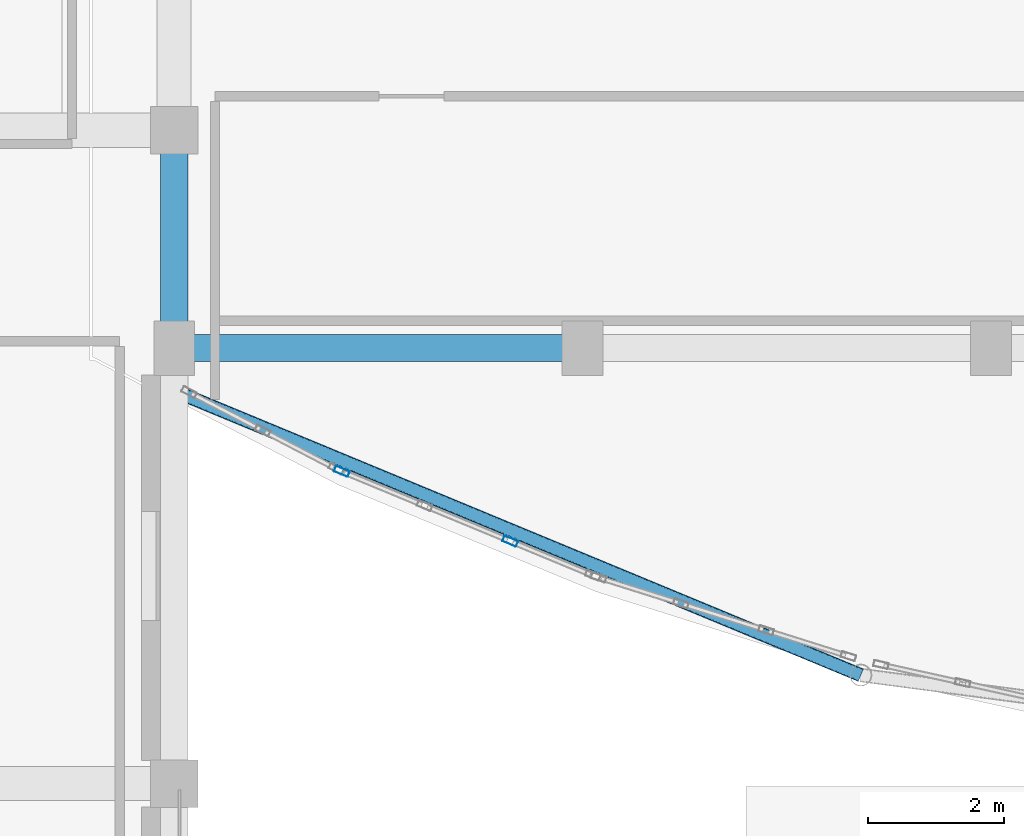
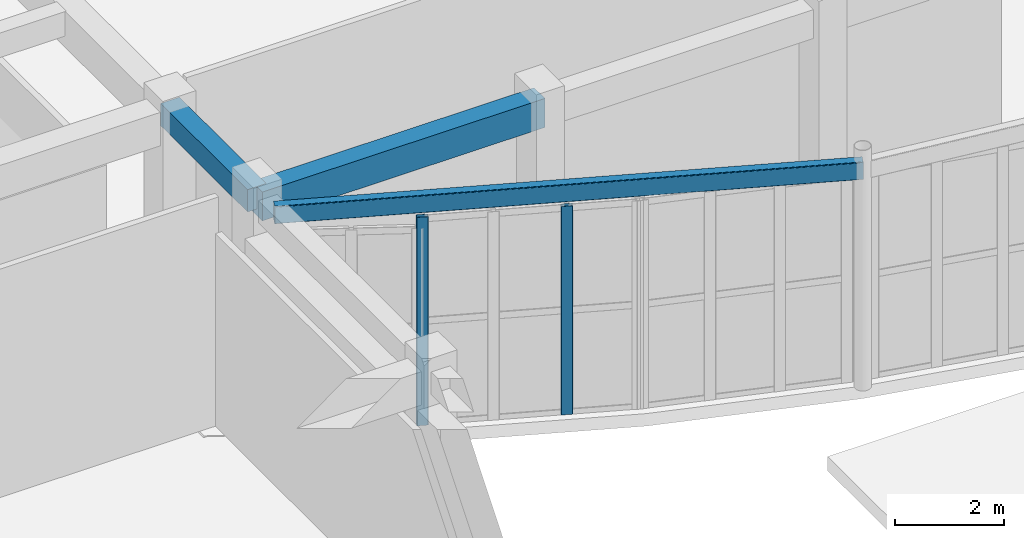
# One storey, part 9 of 98: 3 beams, 2 members, 1 element without a shape of its own.
"""IFC4 building model written with IfcOpenShell, lengths in metres."""

from ifc_helpers import new_model, si_unit, direction, frame, origin, origin_2d, place, context, subcontext, project, spatial, rectangle, hollow_rectangle, extrude, material, layer, layer_set, material_profile, profile_set, type_object, element, aggregate, save


model = new_model("IFC4")

# Units and contexts
model_context = context("Model", 3, precision=1e-05, world=origin(), true_north=direction((0.0, 1.0)))
body_context = subcontext(model_context, "Body", "Model", "MODEL_VIEW")
ifc_project = project(units=[si_unit("LENGTHUNIT", "METRE"), si_unit("AREAUNIT", "SQUARE_METRE"), si_unit("VOLUMEUNIT", "CUBIC_METRE"), si_unit("PLANEANGLEUNIT", "RADIAN"), si_unit("MASSUNIT", "GRAM", prefix="KILO")], contexts=[model_context])

# Site, building, storey
site_placement = place(None, origin())
site = spatial("IfcSite", under=ifc_project, at=site_placement, CompositionType="ELEMENT")
building_placement = place(site_placement, origin())
building = spatial("IfcBuilding", under=site, at=building_placement, Name="Tarnavel Promenade Courthouse", CompositionType="ELEMENT")
storey_placement = place(building_placement, origin())
storey = spatial("IfcBuildingStorey", under=building, at=storey_placement, Name="L01", CompositionType="ELEMENT", Elevation=0.0)

# Beams
ifc_material_1 = material(Name="Concrete C40/50", Category="concrete")
ifc_material_profile_1 = material_profile(ifc_material_1, rectangle(XDim=0.39990234375, YDim=0.5, at=origin_2d()), Name="RC 400x500")
ifc_profile_set_1 = profile_set([ifc_material_profile_1], Name="Concrete C40/50")
beam_type_1 = type_object("IfcBeamType", Name="Concrete C40/50 BM-RC-400x500 (RC 400x500)", PredefinedType="BEAM", material=ifc_profile_set_1)
beam_1_placement = place(storey_placement, frame((9.60009765625, 14.800048828125, 4.844970703125), z_axis=(0.0, 1.0, 0.0), x_axis=(-1.0, 0.0, 0.0)))
element("IfcBeam", 1, at=beam_1_placement, inside=storey, type_object=beam_type_1, Name="L01 Transverse Girder 0748", PredefinedType="BEAM", context=body_context, shape_type="SweptSolid", body=[
    extrude(rectangle(XDim=0.39990234375, YDim=0.5, at=origin_2d()), origin(), (0.0, 0.0, 1.0), 3.199951171875),
])
ifc_material_profile_2 = material_profile(ifc_material_1, rectangle(XDim=0.39990234375, YDim=0.64990234375, at=origin_2d()), Name="RC 400x650")
ifc_profile_set_2 = profile_set([ifc_material_profile_2], Name="Concrete C40/50")
beam_type_2 = type_object("IfcBeamType", Name="Concrete C40/50 BM-RC-400x650 (RC 400x650)", PredefinedType="BEAM", material=ifc_profile_set_2)
beam_2_placement = place(storey_placement, frame((9.60009765625, 14.800048828125, 4.77001953125), z_axis=(1.0, 0.0, 0.0), x_axis=(0.0, 1.0, 0.0)))
element("IfcBeam", 2, at=beam_2_placement, inside=storey, type_object=beam_type_2, Name="L01 Primary Longitudinal Beam 0580", PredefinedType="BEAM", context=body_context, shape_type="SweptSolid", body=[
    extrude(rectangle(XDim=0.39990234375, YDim=0.64990234375, at=origin_2d()), origin(), (0.0, 0.0, 1.0), 6.0),
])
ifc_material_2 = material(Name="Steel S355J2", Category="steel")
ifc_material_profile_3 = material_profile(ifc_material_2, hollow_rectangle(XDim=0.199951171875, YDim=0.39990234375, WallThickness=0.01416015625, InnerFilletRadius=0.013916015625, OuterFilletRadius=0.028076171875, at=origin_2d()), Name="RHS 400x200x14.2")
ifc_profile_set_3 = profile_set([ifc_material_profile_3], Name="Steel S355J2")
beam_type_3 = type_object("IfcBeamType", Name="Steel S355J2 BM-ST-RHS400 (RHS 400x200x14.2)", PredefinedType="SPANDREL", material=ifc_profile_set_3)
beam_3_placement = place(storey_placement, frame((9.60009765625, 14.173095703125, 4.89501953125), z_axis=(0.923872114905, -0.38270133956, 0.0), x_axis=(0.38270133956, 0.923872114905, 0.0)))
element("IfcBeam", 3, at=beam_3_placement, inside=storey, type_object=beam_type_3, Name="L01 Public Drum Ring Beam 1066", PredefinedType="SPANDREL", context=body_context, shape_type="SweptSolid", body=[
    extrude(hollow_rectangle(XDim=0.199951171875, YDim=0.39990234375, WallThickness=0.01416015625, InnerFilletRadius=0.013916015625, OuterFilletRadius=0.028076171875, at=origin_2d()), origin(), (0.0, 0.0, 1.0), 10.91845703125),
])

# Curtain wall, members
ifc_material_3 = material(Name="Thermally Broken Anodised Aluminium Curtain Wall System", Category="aluminium")
ifc_layer = layer(ifc_material_3, 0.219970703125)
ifc_layer_set = layer_set([ifc_layer], Name="Thermally Broken Anodised Aluminium Curtain Wall System")
curtain_wall_type = type_object("IfcCurtainWallType", Name="Thermally Broken Aluminium Triple-Glazed Curtain Wall CW-DRUM", PredefinedType="NOTDEFINED", material=ifc_layer_set)
curtain_wall_placement = place(storey_placement, origin())
curtain_wall = element("IfcCurtainWall", 4, at=curtain_wall_placement, inside=storey, type_object=curtain_wall_type, Name="L01 Public Hall Drum Curtain Wall 002", PredefinedType="NOTDEFINED")
ifc_material_4 = material(Name="Thermally Broken Anodised Aluminium Frame", Category="aluminium")
ifc_material_profile_4 = material_profile(ifc_material_4, hollow_rectangle(XDim=0.090087890625, YDim=0.219970703125, WallThickness=0.0048828125, InnerFilletRadius=0.0048828125, OuterFilletRadius=0.010009765625, at=origin_2d()), Name="CWM 220x90x5")
ifc_profile_set_4 = profile_set([ifc_material_profile_4], Name="Thermally Broken Anodised Aluminium Frame")
member_type = type_object("IfcMemberType", Name="Thermally Broken Anodised Aluminium CWM-175 (CWM 220x90x5)", PredefinedType="MULLION", material=ifc_profile_set_4)
member_1_placement = place(storey_placement, frame((12.06298828125, 12.987548828125, 0.0), z_axis=(0.0, 0.0, 1.0), x_axis=(0.382684779296, 0.923878974593, 0.0)))
member_1 = element("IfcMember", 5, at=member_1_placement, type_object=member_type, Name="CW-01 mullion 1", PredefinedType="MULLION", context=body_context, shape_type="SweptSolid", body=[
    extrude(hollow_rectangle(XDim=0.090087890625, YDim=0.219970703125, WallThickness=0.0048828125, InnerFilletRadius=0.0048828125, OuterFilletRadius=0.010009765625, at=origin_2d()), origin(), (0.0, 0.0, 1.0), 4.679931640625),
])
member_2_placement = place(storey_placement, frame((14.5361328125, 11.963134765625, 0.0), z_axis=(0.0, 0.0, 1.0), x_axis=(0.382684779296, 0.923878974593, 0.0)))
member_2 = element("IfcMember", 6, at=member_2_placement, type_object=member_type, Name="CW-01 mullion 3", PredefinedType="MULLION", context=body_context, shape_type="SweptSolid", body=[
    extrude(hollow_rectangle(XDim=0.090087890625, YDim=0.219970703125, WallThickness=0.0048828125, InnerFilletRadius=0.0048828125, OuterFilletRadius=0.010009765625, at=origin_2d()), origin(), (0.0, 0.0, 1.0), 4.679931640625),
])
aggregate(curtain_wall, [member_1, member_2])

save(model, "model.ifc")
